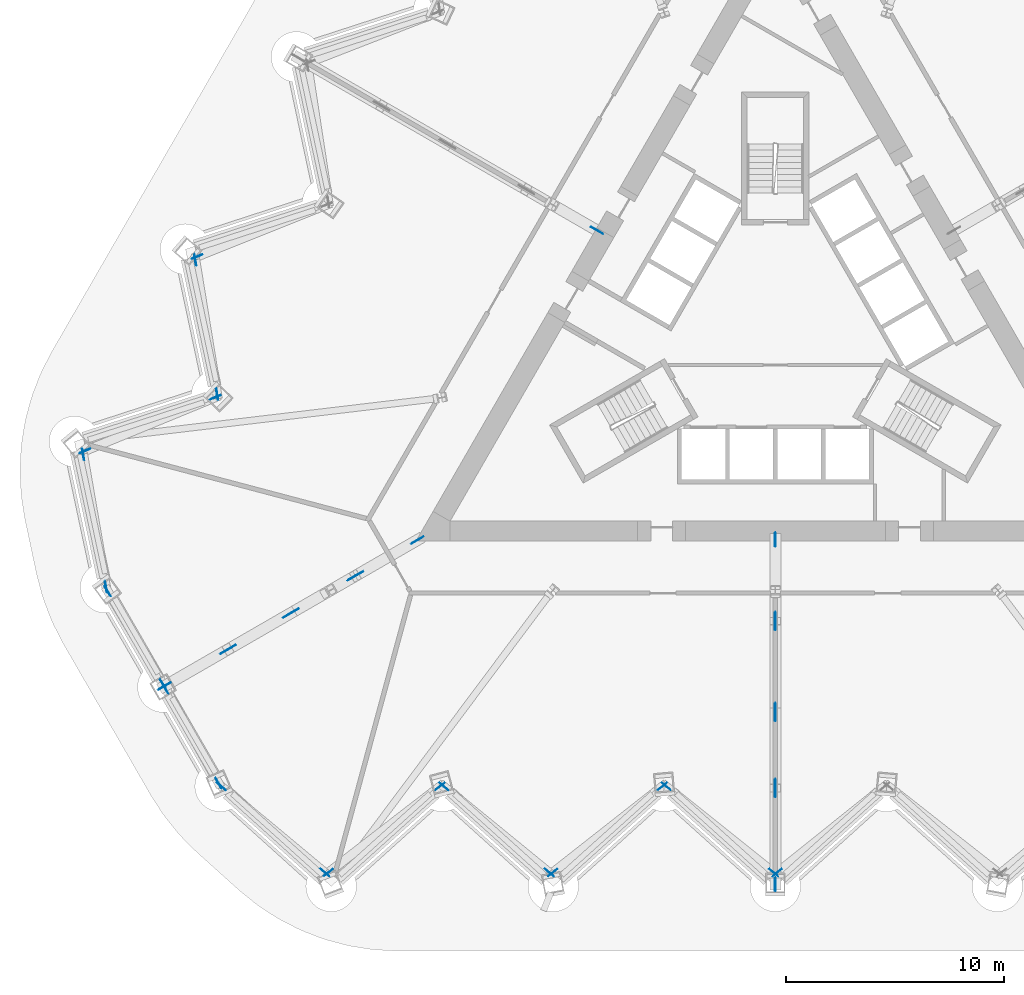
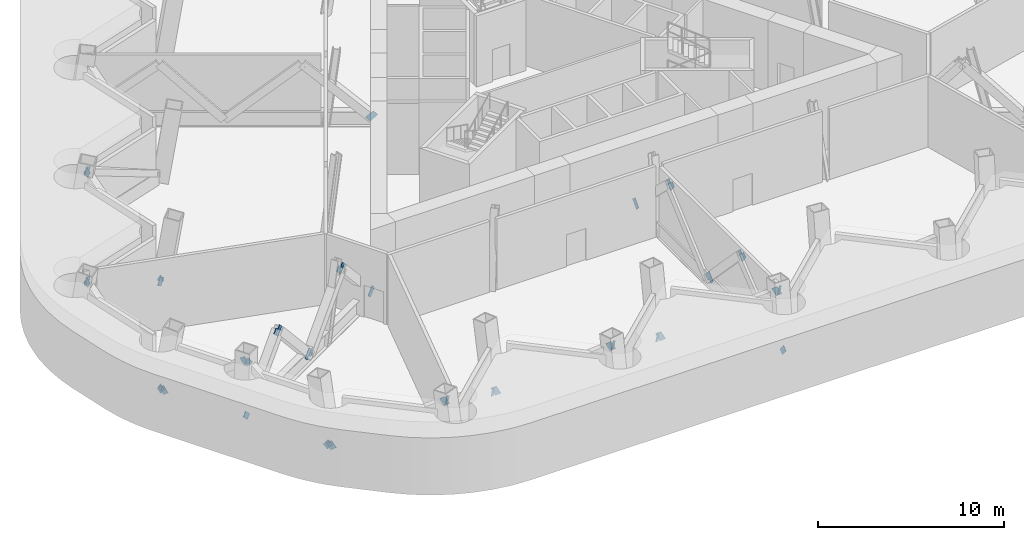
# One storey, part 8 of 13: 39 discrete accessories.
"""IFC4 building model written with IfcOpenShell, lengths in metres."""

from ifc_helpers import new_model, si_unit, direction, frame, origin, origin_2d, place, context, subcontext, project, spatial, rectangle, extrude, material, material_profile, profile_set, type_object, element, save


model = new_model("IFC4")

# Units and contexts
model_context = context("Model", 3, precision=1e-05, world=origin(), true_north=direction((0.0, 1.0)))
body_context = subcontext(model_context, "Body", "Model", "MODEL_VIEW")
ifc_project = project(units=[si_unit("LENGTHUNIT", "METRE"), si_unit("AREAUNIT", "SQUARE_METRE"), si_unit("VOLUMEUNIT", "CUBIC_METRE"), si_unit("PLANEANGLEUNIT", "RADIAN"), si_unit("MASSUNIT", "GRAM", prefix="KILO")], contexts=[model_context])

# Site, building, storey
site_placement = place(None, origin())
site = spatial("IfcSite", under=ifc_project, at=site_placement, CompositionType="ELEMENT")
building_placement = place(site_placement, origin())
building = spatial("IfcBuilding", under=site, at=building_placement, Name="Cormorant Prow Tower", CompositionType="ELEMENT")
storey_placement = place(building_placement, frame((0.0, 0.0, 164.199951171875)))
storey = spatial("IfcBuildingStorey", under=building, at=storey_placement, Name="L34", CompositionType="ELEMENT", Elevation=164.199951171875)

# Discrete accessories
ifc_material_1 = material(Name="Structural steel ASTM A500 Gr C", Category="steel")
ifc_material_profile_1 = material_profile(ifc_material_1, rectangle(XDim=0.031982421875, YDim=0.506103515625, at=origin_2d()), Name="Gusset plate 32x506")
ifc_profile_set_1 = profile_set([ifc_material_profile_1], Name="Structural steel ASTM A500 Gr C")
discrete_accessory_type_1 = type_object("IfcDiscreteAccessoryType", Name="Gusset plate 32x506", PredefinedType="BRACKET", material=ifc_profile_set_1)
for number, where, z_axis, x_axis, name in (
    (1, (-25.330078125, -20.906494140625, 0.601806640625), (-0.662893706955, 0.551946233897, -0.505892565834), (-0.639866075967, -0.768486437634, 0.0), "Gusset plate GP2 L34.S00.g0"),
    (2, (-20.816162109375, -24.66455078125, 4.04833984375), (0.662893706955, -0.551946233897, 0.505892565834), (0.639866075967, 0.768486437634, 0.0), "Gusset plate GP2 L34.S00.g1"),
):
    element("IfcDiscreteAccessory", number, at=place(storey_placement, frame(where, z_axis=z_axis, x_axis=x_axis)), inside=storey, type_object=discrete_accessory_type_1, Name=name, PredefinedType="BRACKET", context=body_context, shape_type="SweptSolid", body=[
        extrude(rectangle(XDim=0.031982421875, YDim=0.506103515625, at=origin_2d()), origin(), (0.0, 0.0, 1.0), 0.349853515625),
    ])
discrete_accessory_1_placement = place(storey_placement, frame((-15.5244140625, -20.90087890625, 0.5966796875), z_axis=(0.690571205773, 0.532925657788, -0.488980217421), x_axis=(-0.61094668071, 0.791671745946, 0.0)))
element("IfcDiscreteAccessory", 3, at=discrete_accessory_1_placement, inside=storey, type_object=discrete_accessory_type_1, Name="Gusset plate GP2 L34.S01.g0", PredefinedType="BRACKET", context=body_context, shape_type="SweptSolid", body=[
    extrude(rectangle(XDim=0.031982421875, YDim=0.506103515625, at=origin_2d()), origin(), (0.0, 0.0, 1.0), 0.35009765625),
])
discrete_accessory_2_placement = place(storey_placement, frame((-20.41015625, -24.670166015625, 4.053466796875), z_axis=(-0.690806702707, -0.533107394816, 0.488449183732), x_axis=(0.61094668071, -0.791671745946, 0.0)))
element("IfcDiscreteAccessory", 4, at=discrete_accessory_2_placement, inside=storey, type_object=discrete_accessory_type_1, Name="Gusset plate GP2 L34.S01.g1", PredefinedType="BRACKET", context=body_context, shape_type="SweptSolid", body=[
    extrude(rectangle(XDim=0.031982421875, YDim=0.506103515625, at=origin_2d()), origin(), (0.0, 0.0, 1.0), 0.349853515625),
])
for number, where, z_axis, x_axis, name in (
    (5, (-15.1162109375, -20.905029296875, 0.6005859375), (-0.670351974474, 0.546884441194, -0.501543256657), (-0.632139467267, -0.774854627607, 0.0), "Gusset plate GP2 L34.S02.g0"),
    (6, (-10.509765625, -24.665771484375, 4.049560546875), (0.670096229996, -0.5473730911, 0.501351914014), (0.632623199786, 0.774459738846, 0.0), "Gusset plate GP2 L34.S02.g1"),
    (7, (-5.31103515625, -20.902099609375, 0.597900390625), (0.684307769832, 0.537122306596, -0.493175936056), (-0.617431929158, 0.786624314941, 0.0), "Gusset plate GP2 L34.S03.g0"),
    (8, (-10.103515625, -24.668701171875, 4.05224609375), (-0.684286460193, -0.537803120091, 0.49246303863), (0.617927733784, -0.786234898628, 0.0), "Gusset plate GP2 L34.S03.g1"),
    (9, (-4.902587890625, -20.903564453125, 0.599365234375), (-0.677360336684, 0.542027787439, -0.497381997997), (-0.624793104766, -0.780790353575, 0.0), "Gusset plate GP2 L34.S04.g0"),
    (10, (-0.203125, -24.667236328125, 4.05078125), (0.6771041982, -0.542520150566, 0.497193916907), (0.62528294766, 0.780398126193, 0.0), "Gusset plate GP2 L34.S04.g1"),
    (11, (0.203125, -24.667236328125, 4.05078125), (-0.6771041982, -0.542520150566, 0.497193916907), (0.62528294766, -0.780398126193, 0.0), "Gusset plate GP2 L34.S05.g1"),
):
    element("IfcDiscreteAccessory", number, at=place(storey_placement, frame(where, z_axis=z_axis, x_axis=x_axis)), inside=storey, type_object=discrete_accessory_type_1, Name=name, PredefinedType="BRACKET", context=body_context, shape_type="SweptSolid", body=[
        extrude(rectangle(XDim=0.031982421875, YDim=0.506103515625, at=origin_2d()), origin(), (0.0, 0.0, 1.0), 0.35009765625),
    ])
for number, where, z_axis, x_axis, name in (
    (12, (-26.41552734375, 3.58447265625, 4.05224609375), (-0.807857519377, -0.323701113118, 0.49252798677), (0.371943439653, -0.928255394651, 0.0), "Gusset plate GP2 L34.WNW06.g1"),
    (13, (-25.662353515625, -2.638671875, 0.6005859375), (0.138827291276, -0.853892485036, -0.501592072501), (0.98703996454, 0.160474634758, 0.0), "Gusset plate GP2 L34.WNW07.g0"),
    (14, (-26.6162109375, 3.231201171875, 4.049560546875), (-0.138827291276, 0.853892485036, 0.501592072501), (-0.98703996454, -0.160474634758, 0.0), "Gusset plate GP2 L34.WNW07.g1"),
    (15, (-25.86279296875, -2.994140625, 0.5966796875), (0.806724179081, 0.331482686041, -0.489198658768), (-0.380065559362, 0.924959550784, 0.0), "Gusset plate GP2 L34.WNW08.g0"),
):
    element("IfcDiscreteAccessory", number, at=place(storey_placement, frame(where, z_axis=z_axis, x_axis=x_axis)), inside=storey, type_object=discrete_accessory_type_1, Name=name, PredefinedType="BRACKET", context=body_context, shape_type="SweptSolid", body=[
        extrude(rectangle(XDim=0.031982421875, YDim=0.506103515625, at=origin_2d()), origin(), (0.0, 0.0, 1.0), 0.349853515625),
    ])
for number, where, z_axis, x_axis, name in (
    (16, (-31.570068359375, -5.340576171875, 4.053466796875), (-0.807056002434, -0.332029954329, 0.488279344601), (0.380468376101, -0.924793930985, 0.0), "Gusset plate GP2 L34.WNW08.g1"),
    (17, (-30.7705078125, -11.483154296875, 0.601806640625), (0.146467377521, -0.850208253322, -0.505661184297), (0.985483444669, 0.169771553224, 0.0), "Gusset plate GP2 L34.WNW09.g0"),
):
    element("IfcDiscreteAccessory", number, at=place(storey_placement, frame(where, z_axis=z_axis, x_axis=x_axis)), inside=storey, type_object=discrete_accessory_type_1, Name=name, PredefinedType="BRACKET", context=body_context, shape_type="SweptSolid", body=[
        extrude(rectangle(XDim=0.031982421875, YDim=0.506103515625, at=origin_2d()), origin(), (0.0, 0.0, 1.0), 0.35009765625),
    ])
for number, where, z_axis, x_axis, name in (
    (18, (-31.76806640625, -5.695068359375, 4.04833984375), (-0.146554272765, 0.850014782039, 0.505961179785), (-0.985460115744, -0.169906916508, 0.0), "Gusset plate GP2 L34.WNW09.g1"),
    (19, (-30.602294921875, -11.947265625, 0.62548828125), (-0.414556188839, 0.697208135775, -0.584845263043), (-0.859535888021, -0.511075392877, 0.0), "Gusset plate GP2 L34.WSW00.g0"),
):
    element("IfcDiscreteAccessory", number, at=place(storey_placement, frame(where, z_axis=z_axis, x_axis=x_axis)), inside=storey, type_object=discrete_accessory_type_1, Name=name, PredefinedType="BRACKET", context=body_context, shape_type="SweptSolid", body=[
        extrude(rectangle(XDim=0.031982421875, YDim=0.506103515625, at=origin_2d()), origin(), (0.0, 0.0, 1.0), 0.349853515625),
    ])
for number, where, z_axis, x_axis, name in (
    (20, (-28.1953125, -15.99755859375, 4.0244140625), (0.414185559234, -0.697282086252, 0.585019670365), (0.859760372782, 0.510697661433, 0.0), "Gusset plate GP2 L34.WSW00.g1"),
    (21, (-25.647705078125, -20.528564453125, 0.62548828125), (0.396216535062, -0.708027787126, -0.58455890208), (0.872652585532, 0.488341545401, 0.0), "Gusset plate GP2 L34.WSW01.g0"),
    (22, (-27.951904296875, -16.4189453125, 4.0244140625), (-0.396838314898, 0.707195169255, 0.585144720912), (-0.872080379477, -0.489362658701, 0.0), "Gusset plate GP2 L34.WSW01.g1"),
):
    element("IfcDiscreteAccessory", number, at=place(storey_placement, frame(where, z_axis=z_axis, x_axis=x_axis)), inside=storey, type_object=discrete_accessory_type_1, Name=name, PredefinedType="BRACKET", context=body_context, shape_type="SweptSolid", body=[
        extrude(rectangle(XDim=0.031982421875, YDim=0.506103515625, at=origin_2d()), origin(), (0.0, 0.0, 1.0), 0.35009765625),
    ])
ifc_material_2 = material(Name="Structural steel ASTM A500 Gr C", Category="steel")
ifc_material_profile_2 = material_profile(ifc_material_2, rectangle(XDim=0.031982421875, YDim=0.60791015625, at=origin_2d()), Name="Gusset plate 32x608")
ifc_profile_set_2 = profile_set([ifc_material_profile_2], Name="Structural steel ASTM A500 Gr C")
discrete_accessory_type_2 = type_object("IfcDiscreteAccessoryType", Name="Gusset plate 32x608", PredefinedType="BRACKET", material=ifc_profile_set_2)
for number, where, z_axis, x_axis, name in (
    (23, (-8.308349609375, 4.796875, 0.70703125), (0.627586375233, -0.362605461246, -0.688950376367), (0.500277597875, 0.865865073245, 0.0), "Gusset plate GP1 L34.03.1.g0"),
    (24, (-16.54638671875, -9.552978515625, 0.720458984375), (0.587966477521, 0.338969997717, -0.734434995053), (-0.499455527893, 0.866339526777, 0.0), "Gusset plate GP1 L34.05.1.g0"),
):
    element("IfcDiscreteAccessory", number, at=place(storey_placement, frame(where, z_axis=z_axis, x_axis=x_axis)), inside=storey, type_object=discrete_accessory_type_2, Name=name, PredefinedType="BRACKET", context=body_context, shape_type="SweptSolid", body=[
        extrude(rectangle(XDim=0.031982421875, YDim=0.60791015625, at=origin_2d()), origin(), (0.0, 0.0, 1.0), 0.35009765625),
    ])
discrete_accessory_3_placement = place(storey_placement, frame((-19.115966796875, -11.03662109375, 3.9296875), z_axis=(-0.587811130747, -0.339282909196, 0.734414856942), x_axis=(0.499900536046, -0.86608282171, 0.0)))
element("IfcDiscreteAccessory", 25, at=discrete_accessory_3_placement, inside=storey, type_object=discrete_accessory_type_2, Name="Gusset plate GP1 L34.05.1.g1", PredefinedType="BRACKET", context=body_context, shape_type="SweptSolid", body=[
    extrude(rectangle(XDim=0.031982421875, YDim=0.60791015625, at=origin_2d()), origin(), (0.0, 0.0, 1.0), 0.349609375),
])
for number, where, z_axis, x_axis, name in (
    (26, (-19.469970703125, -11.240966796875, 3.930908203125), (0.592243060684, 0.341812838322, 0.729665773234), (-0.499869636591, 0.866100656052, 0.0), "Gusset plate GP1 L34.05.2.g0"),
    (27, (-22.07470703125, -12.744873046875, 0.71923828125), (-0.591941696104, -0.341638905879, -0.729991702969), (0.499869636591, -0.866100656052, 0.0), "Gusset plate GP1 L34.05.2.g1"),
):
    element("IfcDiscreteAccessory", number, at=place(storey_placement, frame(where, z_axis=z_axis, x_axis=x_axis)), inside=storey, type_object=discrete_accessory_type_2, Name=name, PredefinedType="BRACKET", context=body_context, shape_type="SweptSolid", body=[
        extrude(rectangle(XDim=0.031982421875, YDim=0.60791015625, at=origin_2d()), origin(), (0.0, 0.0, 1.0), 0.35009765625),
    ])
discrete_accessory_4_placement = place(storey_placement, frame((-22.427490234375, -12.948486328125, 0.7216796875), z_axis=(0.584127299211, 0.337077043631, -0.738359238429), x_axis=(-0.499812034598, 0.866133898465, 0.0)))
element("IfcDiscreteAccessory", 28, at=discrete_accessory_4_placement, inside=storey, type_object=discrete_accessory_type_2, Name="Gusset plate GP1 L34.05.3.g0", PredefinedType="BRACKET", context=body_context, shape_type="SweptSolid", body=[
    extrude(rectangle(XDim=0.031982421875, YDim=0.60791015625, at=origin_2d()), origin(), (0.0, 0.0, 1.0), 0.349853515625),
])
for number, where, z_axis, x_axis, name in (
    (29, (-24.96142578125, -14.41162109375, 3.92822265625), (-0.583826396031, -0.336903404161, 0.738676407882), (0.499812034598, -0.866133898465, 0.0), "Gusset plate GP1 L34.05.3.g1"),
    (30, (-25.3154296875, -14.615966796875, 3.93212890625), (0.595438951476, 0.344434241252, 0.725821953731), (-0.500716596025, 0.865611281387, 0.0), "Gusset plate GP1 L34.05.4.g0"),
    (31, (-27.955810546875, -16.14013671875, 0.7177734375), (-0.595740368471, -0.344608597219, -0.725491783618), (0.500716596025, -0.865611281387, 0.0), "Gusset plate GP1 L34.05.4.g1"),
    (32, (0.0, -9.59375, 0.70703125), (0.0, 0.724668488335, -0.68909765782), (-1.0, 0.0, 0.0), "Gusset plate GP1 L34.07.1.g0"),
):
    element("IfcDiscreteAccessory", number, at=place(storey_placement, frame(where, z_axis=z_axis, x_axis=x_axis)), inside=storey, type_object=discrete_accessory_type_2, Name=name, PredefinedType="BRACKET", context=body_context, shape_type="SweptSolid", body=[
        extrude(rectangle(XDim=0.031982421875, YDim=0.60791015625, at=origin_2d()), origin(), (0.0, 0.0, 1.0), 0.35009765625),
    ])
discrete_accessory_5_placement = place(storey_placement, frame((0.0, -12.995361328125, 3.943115234375), z_axis=(0.0, -0.724337040884, 0.689446046622), x_axis=(1.0, 0.0, 0.0)))
element("IfcDiscreteAccessory", 33, at=discrete_accessory_5_placement, inside=storey, type_object=discrete_accessory_type_2, Name="Gusset plate GP1 L34.07.1.g1", PredefinedType="BRACKET", context=body_context, shape_type="SweptSolid", body=[
    extrude(rectangle(XDim=0.031982421875, YDim=0.60791015625, at=origin_2d()), origin(), (0.0, 0.0, 1.0), 0.349853515625),
])
for number, where, z_axis, x_axis, name in (
    (34, (0.0, -13.4384765625, 3.952392578125), (0.0, 0.75261990205, 0.658455224778), (-1.0, 0.0, 0.0), "Gusset plate GP1 L34.07.2.g0"),
    (35, (0.0, -17.161865234375, 0.69775390625), (0.0, -0.75261990205, -0.658455224778), (1.0, 0.0, 0.0), "Gusset plate GP1 L34.07.2.g1"),
    (36, (0.0, -17.59521484375, 0.716796875), (0.0, 0.691950811852, -0.721944647447), (-1.0, 0.0, 0.0), "Gusset plate GP1 L34.07.3.g0"),
    (37, (0.0, -20.677734375, 3.933349609375), (0.0, -0.691950811852, 0.721944647447), (1.0, 0.0, 0.0), "Gusset plate GP1 L34.07.3.g1"),
    (38, (0.0, -21.11865234375, 3.961181640625), (0.0, 0.777455918259, 0.628937433426), (-1.0, 0.0, 0.0), "Gusset plate GP1 L34.07.4.g0"),
    (39, (0.0, -25.165771484375, 0.688720703125), (0.0, -0.777796898299, -0.628515699881), (1.0, 0.0, 0.0), "Gusset plate GP1 L34.07.4.g1"),
):
    element("IfcDiscreteAccessory", number, at=place(storey_placement, frame(where, z_axis=z_axis, x_axis=x_axis)), inside=storey, type_object=discrete_accessory_type_2, Name=name, PredefinedType="BRACKET", context=body_context, shape_type="SweptSolid", body=[
        extrude(rectangle(XDim=0.031982421875, YDim=0.60791015625, at=origin_2d()), origin(), (0.0, 0.0, 1.0), 0.35009765625),
    ])

save(model, "model.ifc")
